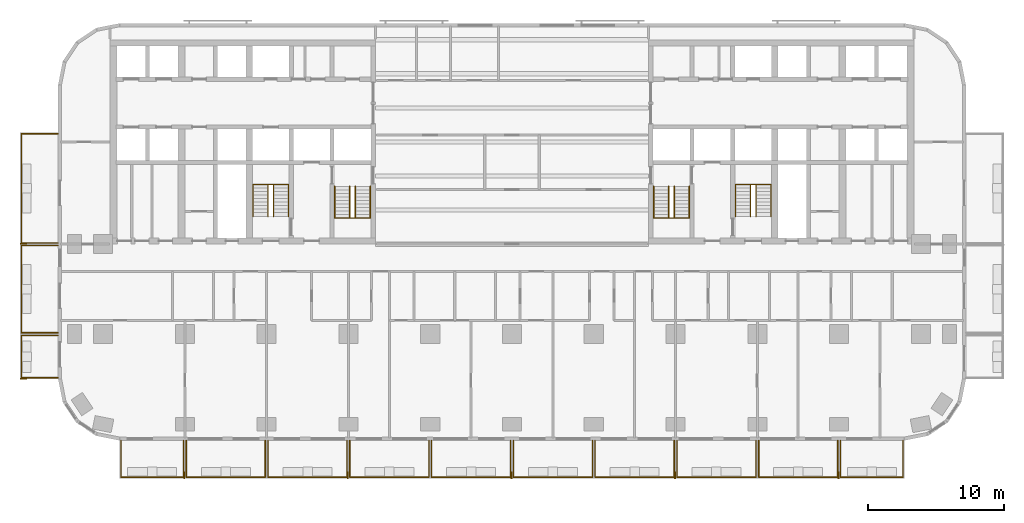
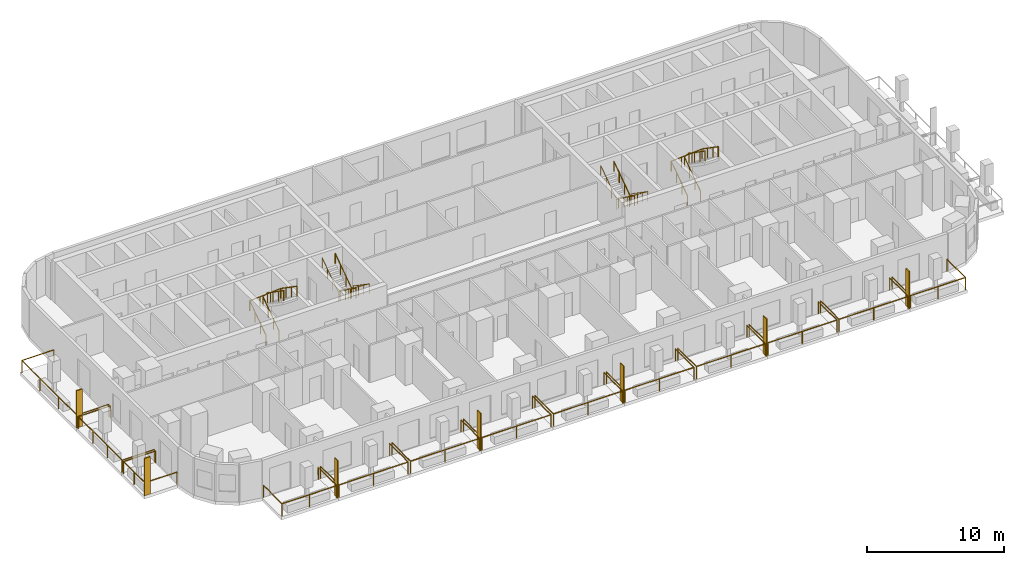
# One storey, part 13 of 15: 21 railings, 7 shading devices.
"""IFC4 building model written with IfcOpenShell, lengths in metres."""

from ifc_helpers import new_model, si_unit, direction, frame, origin, origin_2d, place, context, subcontext, project, spatial, rectangle, circle, extrude, material, layer, layer_set, type_object, element, save


model = new_model("IFC4")

# Units and contexts
model_context = context("Model", 3, precision=1e-05, world=origin(), true_north=direction((0.0, 1.0)))
body_context = subcontext(model_context, "Body", "Model", "MODEL_VIEW")
ifc_project = project(units=[si_unit("LENGTHUNIT", "METRE"), si_unit("AREAUNIT", "SQUARE_METRE"), si_unit("VOLUMEUNIT", "CUBIC_METRE"), si_unit("PLANEANGLEUNIT", "RADIAN"), si_unit("MASSUNIT", "GRAM", prefix="KILO")], contexts=[model_context])

# Site, building, storey
site_placement = place(None, origin())
site = spatial("IfcSite", under=ifc_project, at=site_placement, CompositionType="ELEMENT")
building_placement = place(site_placement, origin())
building = spatial("IfcBuilding", under=site, at=building_placement, Name="Torana Hotel and Residences", CompositionType="ELEMENT")
storey_placement = place(building_placement, frame((0.0, 0.0, 88.800048828125)))
storey = spatial("IfcBuildingStorey", under=building, at=storey_placement, Name="L22", CompositionType="ELEMENT", Elevation=88.800048828125)

# Shading devices
ifc_material_1 = material(Name="Black powder coated aluminium", Category="aluminium")
ifc_layer = layer(ifc_material_1, 0.080078125)
ifc_layer_set = layer_set([ifc_layer], Name="FN1 VERTICAL FIN 500x80")
shading_device_type = type_object("IfcShadingDeviceType", Name="FN1 VERTICAL FIN 500x80", PredefinedType="USERDEFINED", material=ifc_layer_set)
for number, where, z_axis, x_axis, name in (
    (1, (-24.0400390625, -31.949951171875, 0.0), (0.0, 0.0, 1.0), (-1.0, 0.0, 0.0), "Fin 01"),
    (2, (-12.0400390625, -31.949951171875, 0.0), (0.0, 0.0, 1.0), (-1.0, 0.0, 0.0), "Fin 03"),
    (3, (-0.0400390625, -31.949951171875, 0.0), (0.0, 0.0, 1.0), (-1.0, 0.0, 0.0), "Fin 05"),
    (4, (11.9599609375, -31.949951171875, 0.0), (0.0, 0.0, 1.0), (-1.0, 0.0, 0.0), "Fin 07"),
    (5, (23.9599609375, -31.949951171875, 0.0), (0.0, 0.0, 1.0), (-1.0, 0.0, 0.0), "Fin 09"),
    (6, (-35.85009765625, -24.860107421875, 0.0), (0.0, 0.0, 1.0), (0.0, 1.0, 0.0), "Fin 11"),
    (7, (-35.85009765625, -14.9599609375, 0.0), (0.0, 0.0, 1.0), (0.0, 1.0, 0.0), "Fin 13"),
):
    element("IfcShadingDevice", number, at=place(storey_placement, frame(where, z_axis=z_axis, x_axis=x_axis)), inside=storey, type_object=shading_device_type, Name=name, ObjectType="FIN", PredefinedType="USERDEFINED", context=body_context, shape_type="SweptSolid", body=[
        extrude(rectangle(XDim=0.080078125, YDim=0.5, at=origin_2d()), origin(), (0.0, 0.0, 1.0), 3.320068359375),
    ])

# Railings
ifc_material_2 = material(Name="Laminated glass balustrade with black handrail", Category="glass")
railing_type_1 = type_object("IfcRailingType", Name="GR1 BALCONY GUARD 1100 GLASS", PredefinedType="GUARDRAIL", material=ifc_material_2)
railing_1_placement = place(storey_placement, frame((-24.10009765625, -29.39990234375, 0.0)))
element("IfcRailing", 8, at=railing_1_placement, inside=storey, type_object=railing_type_1, Name="Balcony guard 01", PredefinedType="GUARDRAIL", context=body_context, shape_type="SweptSolid", body=[
    extrude(circle(Radius=0.02392578125, at=origin_2d()), frame((0.0, 0.0, 1.076171875), z_axis=(0.0, -1.0, 0.0), x_axis=(1.0, 0.0, 0.0)), (0.0, 0.0, 1.0), 2.7001953125),
    extrude(circle(Radius=0.02392578125, at=origin_2d()), frame((0.0, -2.7001953125, 1.076171875), z_axis=(-1.0, 0.0, 0.0), x_axis=(0.0, -1.0, 0.0)), (0.0, 0.0, 1.0), 4.599853515625),
    extrude(circle(Radius=0.02392578125, at=origin_2d()), frame((-4.599853515625, -2.7001953125, 1.076171875), z_axis=(0.0, 1.0, 0.0), x_axis=(-1.0, 0.0, 0.0)), (0.0, 0.0, 1.0), 2.7001953125),
    extrude(circle(Radius=0.02099609375, at=origin_2d()), origin(), (0.0, 0.0, 1.0), 1.052001953125),
    extrude(circle(Radius=0.02099609375, at=origin_2d()), frame((0.0, -2.7001953125, 0.0)), (0.0, 0.0, 1.0), 1.052001953125),
    extrude(circle(Radius=0.02099609375, at=origin_2d()), frame((-2.2998046875, -2.7001953125, 0.0)), (0.0, 0.0, 1.0), 1.052001953125),
    extrude(circle(Radius=0.02099609375, at=origin_2d()), frame((-4.599853515625, -2.7001953125, 0.0)), (0.0, 0.0, 1.0), 1.052001953125),
    extrude(circle(Radius=0.02099609375, at=origin_2d()), frame((-4.599853515625, 0.0, 0.0)), (0.0, 0.0, 1.0), 1.052001953125),
])
for number, where, name in (
    (9, (-18.10009765625, -29.39990234375, 0.0), "Balcony guard 02"),
    (10, (-12.10009765625, -29.39990234375, 0.0), "Balcony guard 03"),
    (11, (-6.10009765625, -29.39990234375, 0.0), "Balcony guard 04"),
    (12, (-0.10009765625, -29.39990234375, 0.0), "Balcony guard 05"),
    (13, (5.89990234375, -29.39990234375, 0.0), "Balcony guard 06"),
    (14, (11.89990234375, -29.39990234375, 0.0), "Balcony guard 07"),
    (15, (17.89990234375, -29.39990234375, 0.0), "Balcony guard 08"),
    (16, (23.89990234375, -29.39990234375, 0.0), "Balcony guard 09"),
):
    element("IfcRailing", number, at=place(storey_placement, frame(where)), inside=storey, type_object=railing_type_1, Name=name, PredefinedType="GUARDRAIL", context=body_context, shape_type="SweptSolid", body=[
        extrude(circle(Radius=0.02392578125, at=origin_2d()), frame((0.0, 0.0, 1.076171875), z_axis=(0.0, -1.0, 0.0), x_axis=(1.0, 0.0, 0.0)), (0.0, 0.0, 1.0), 2.7001953125),
        extrude(circle(Radius=0.02392578125, at=origin_2d()), frame((0.0, -2.7001953125, 1.076171875), z_axis=(-1.0, 0.0, 0.0), x_axis=(0.0, -1.0, 0.0)), (0.0, 0.0, 1.0), 5.7998046875),
        extrude(circle(Radius=0.02392578125, at=origin_2d()), frame((-5.7998046875, -2.7001953125, 1.076171875), z_axis=(0.0, 1.0, 0.0), x_axis=(-1.0, 0.0, 0.0)), (0.0, 0.0, 1.0), 2.7001953125),
        extrude(circle(Radius=0.02099609375, at=origin_2d()), origin(), (0.0, 0.0, 1.0), 1.052001953125),
        extrude(circle(Radius=0.02099609375, at=origin_2d()), frame((0.0, -2.7001953125, 0.0)), (0.0, 0.0, 1.0), 1.052001953125),
        extrude(circle(Radius=0.02099609375, at=origin_2d()), frame((-2.89990234375, -2.7001953125, 0.0)), (0.0, 0.0, 1.0), 1.052001953125),
        extrude(circle(Radius=0.02099609375, at=origin_2d()), frame((-5.7998046875, -2.7001953125, 0.0)), (0.0, 0.0, 1.0), 1.052001953125),
        extrude(circle(Radius=0.02099609375, at=origin_2d()), frame((-5.7998046875, 0.0, 0.0)), (0.0, 0.0, 1.0), 1.052001953125),
    ])
railing_2_placement = place(storey_placement, frame((28.699951171875, -29.39990234375, 0.0)))
element("IfcRailing", 17, at=railing_2_placement, inside=storey, type_object=railing_type_1, Name="Balcony guard 10", PredefinedType="GUARDRAIL", context=body_context, shape_type="SweptSolid", body=[
    extrude(circle(Radius=0.02392578125, at=origin_2d()), frame((0.0, 0.0, 1.076171875), z_axis=(0.0, -1.0, 0.0), x_axis=(1.0, 0.0, 0.0)), (0.0, 0.0, 1.0), 2.7001953125),
    extrude(circle(Radius=0.02392578125, at=origin_2d()), frame((0.0, -2.7001953125, 1.076171875), z_axis=(-1.0, 0.0, 0.0), x_axis=(0.0, -1.0, 0.0)), (0.0, 0.0, 1.0), 4.599853515625),
    extrude(circle(Radius=0.02392578125, at=origin_2d()), frame((-4.599853515625, -2.7001953125, 1.076171875), z_axis=(0.0, 1.0, 0.0), x_axis=(-1.0, 0.0, 0.0)), (0.0, 0.0, 1.0), 2.7001953125),
    extrude(circle(Radius=0.02099609375, at=origin_2d()), origin(), (0.0, 0.0, 1.0), 1.052001953125),
    extrude(circle(Radius=0.02099609375, at=origin_2d()), frame((0.0, -2.7001953125, 0.0)), (0.0, 0.0, 1.0), 1.052001953125),
    extrude(circle(Radius=0.02099609375, at=origin_2d()), frame((-2.2998046875, -2.7001953125, 0.0)), (0.0, 0.0, 1.0), 1.052001953125),
    extrude(circle(Radius=0.02099609375, at=origin_2d()), frame((-4.599853515625, -2.7001953125, 0.0)), (0.0, 0.0, 1.0), 1.052001953125),
    extrude(circle(Radius=0.02099609375, at=origin_2d()), frame((-4.599853515625, 0.0, 0.0)), (0.0, 0.0, 1.0), 1.052001953125),
])
railing_3_placement = place(storey_placement, frame((-33.300048828125, -24.800048828125, 0.0)))
element("IfcRailing", 18, at=railing_3_placement, inside=storey, type_object=railing_type_1, Name="Balcony guard 11", PredefinedType="GUARDRAIL", context=body_context, shape_type="SweptSolid", body=[
    extrude(circle(Radius=0.02392578125, at=origin_2d()), frame((0.0, 0.0, 1.076171875), z_axis=(-1.0, 0.0, 0.0), x_axis=(0.0, -1.0, 0.0)), (0.0, 0.0, 1.0), 2.699951171875),
    extrude(circle(Radius=0.02392578125, at=origin_2d()), frame((-2.699951171875, 0.0, 1.076171875), z_axis=(0.0, 1.0, 0.0), x_axis=(-1.0, 0.0, 0.0)), (0.0, 0.0, 1.0), 3.10009765625),
    extrude(circle(Radius=0.02392578125, at=origin_2d()), frame((-2.699951171875, 3.10009765625, 1.076171875), z_axis=(1.0, 0.0, 0.0), x_axis=(0.0, 1.0, 0.0)), (0.0, 0.0, 1.0), 2.699951171875),
    extrude(circle(Radius=0.02099609375, at=origin_2d()), origin(), (0.0, 0.0, 1.0), 1.052001953125),
    extrude(circle(Radius=0.02099609375, at=origin_2d()), frame((-2.699951171875, 0.0, 0.0)), (0.0, 0.0, 1.0), 1.052001953125),
    extrude(circle(Radius=0.02099609375, at=origin_2d()), frame((-2.699951171875, 1.550048828125, 0.0)), (0.0, 0.0, 1.0), 1.052001953125),
    extrude(circle(Radius=0.02099609375, at=origin_2d()), frame((-2.699951171875, 3.10009765625, 0.0)), (0.0, 0.0, 1.0), 1.052001953125),
    extrude(circle(Radius=0.02099609375, at=origin_2d()), frame((0.0, 3.10009765625, 0.0)), (0.0, 0.0, 1.0), 1.052001953125),
])
railing_4_placement = place(storey_placement, frame((-33.300048828125, -21.5, 0.0)))
element("IfcRailing", 19, at=railing_4_placement, inside=storey, type_object=railing_type_1, Name="Balcony guard 12", PredefinedType="GUARDRAIL", context=body_context, shape_type="SweptSolid", body=[
    extrude(circle(Radius=0.02392578125, at=origin_2d()), frame((0.0, 0.0, 1.076171875), z_axis=(-1.0, 0.0, 0.0), x_axis=(0.0, -1.0, 0.0)), (0.0, 0.0, 1.0), 2.699951171875),
    extrude(circle(Radius=0.02392578125, at=origin_2d()), frame((-2.699951171875, 0.0, 1.076171875), z_axis=(0.0, 1.0, 0.0), x_axis=(-1.0, 0.0, 0.0)), (0.0, 0.0, 1.0), 6.39990234375),
    extrude(circle(Radius=0.02392578125, at=origin_2d()), frame((-2.699951171875, 6.39990234375, 1.076171875), z_axis=(1.0, 0.0, 0.0), x_axis=(0.0, 1.0, 0.0)), (0.0, 0.0, 1.0), 2.699951171875),
    extrude(circle(Radius=0.02099609375, at=origin_2d()), origin(), (0.0, 0.0, 1.0), 1.052001953125),
    extrude(circle(Radius=0.02099609375, at=origin_2d()), frame((-2.699951171875, 0.0, 0.0)), (0.0, 0.0, 1.0), 1.052001953125),
    extrude(circle(Radius=0.02099609375, at=origin_2d()), frame((-2.699951171875, 2.13330078125, 0.0)), (0.0, 0.0, 1.0), 1.052001953125),
    extrude(circle(Radius=0.02099609375, at=origin_2d()), frame((-2.699951171875, 4.2666015625, 0.0)), (0.0, 0.0, 1.0), 1.052001953125),
    extrude(circle(Radius=0.02099609375, at=origin_2d()), frame((-2.699951171875, 6.39990234375, 0.0)), (0.0, 0.0, 1.0), 1.052001953125),
    extrude(circle(Radius=0.02099609375, at=origin_2d()), frame((0.0, 6.39990234375, 0.0)), (0.0, 0.0, 1.0), 1.052001953125),
])
railing_5_placement = place(storey_placement, frame((-33.300048828125, -14.89990234375, 0.0)))
element("IfcRailing", 20, at=railing_5_placement, inside=storey, type_object=railing_type_1, Name="Balcony guard 13", PredefinedType="GUARDRAIL", context=body_context, shape_type="SweptSolid", body=[
    extrude(circle(Radius=0.02392578125, at=origin_2d()), frame((0.0, 0.0, 1.076171875), z_axis=(-1.0, 0.0, 0.0), x_axis=(0.0, -1.0, 0.0)), (0.0, 0.0, 1.0), 2.699951171875),
    extrude(circle(Radius=0.02392578125, at=origin_2d()), frame((-2.699951171875, 0.0, 1.076171875), z_axis=(0.0, 1.0, 0.0), x_axis=(-1.0, 0.0, 0.0)), (0.0, 0.0, 1.0), 8.0),
    extrude(circle(Radius=0.02392578125, at=origin_2d()), frame((-2.699951171875, 8.0, 1.076171875), z_axis=(1.0, 0.0, 0.0), x_axis=(0.0, 1.0, 0.0)), (0.0, 0.0, 1.0), 2.699951171875),
    extrude(circle(Radius=0.02099609375, at=origin_2d()), origin(), (0.0, 0.0, 1.0), 1.052001953125),
    extrude(circle(Radius=0.02099609375, at=origin_2d()), frame((-2.699951171875, 0.0, 0.0)), (0.0, 0.0, 1.0), 1.052001953125),
    extrude(circle(Radius=0.02099609375, at=origin_2d()), frame((-2.699951171875, 2.666748046875, 0.0)), (0.0, 0.0, 1.0), 1.052001953125),
    extrude(circle(Radius=0.02099609375, at=origin_2d()), frame((-2.699951171875, 5.333251953125, 0.0)), (0.0, 0.0, 1.0), 1.052001953125),
    extrude(circle(Radius=0.02099609375, at=origin_2d()), frame((-2.699951171875, 8.0, 0.0)), (0.0, 0.0, 1.0), 1.052001953125),
    extrude(circle(Radius=0.02099609375, at=origin_2d()), frame((0.0, 8.0, 0.0)), (0.0, 0.0, 1.0), 1.052001953125),
])
ifc_material_3 = material(Name="Stainless steel 316", Category="steel")
railing_type_2 = type_object("IfcRailingType", Name="STAIR HANDRAIL HR1 900", PredefinedType="HANDRAIL", material=ifc_material_3)
railing_6_placement = place(storey_placement, frame((-10.39990234375, -10.75, 0.179931640625)))
element("IfcRailing", 21, at=railing_6_placement, inside=storey, type_object=railing_type_2, Name="Handrail ST1 L22 O1", PredefinedType="HANDRAIL", context=body_context, shape_type="SweptSolid", body=[
    extrude(circle(Radius=0.02392578125, at=origin_2d()), frame((0.0, 0.0, 0.8759765625), z_axis=(0.0, -0.822182927502, 0.569223360136), x_axis=(1.0, 0.0, 0.0)), (0.0, 0.0, 1.0), 2.84619140625),
    extrude(circle(Radius=0.02392578125, at=origin_2d()), frame((0.0, -2.340087890625, 2.49609375), z_axis=(-0.997614115953, 0.0, 0.069036770278), x_axis=(0.0, -1.0, 0.0)), (0.0, 0.0, 1.0), 2.606201171875),
    extrude(circle(Radius=0.02392578125, at=origin_2d()), frame((-2.60009765625, -2.340087890625, 2.67578125), z_axis=(0.0, 0.822223072051, 0.569165371211), x_axis=(-1.0, 0.0, 0.0)), (0.0, 0.0, 1.0), 2.845947265625),
    extrude(circle(Radius=0.02099609375, at=origin_2d()), origin(), (0.0, 0.0, 1.0), 0.851806640625),
    extrude(circle(Radius=0.02099609375, at=origin_2d()), frame((0.0, -0.780029296875, 0.5400390625)), (0.0, 0.0, 1.0), 0.851806640625),
    extrude(circle(Radius=0.02099609375, at=origin_2d()), frame((0.0, -1.56005859375, 1.080078125)), (0.0, 0.0, 1.0), 0.851806640625),
    extrude(circle(Radius=0.02099609375, at=origin_2d()), frame((0.0, -2.340087890625, 1.6201171875)), (0.0, 0.0, 1.0), 0.851806640625),
    extrude(circle(Radius=0.02099609375, at=origin_2d()), frame((-0.86669921875, -2.340087890625, 1.68017578125)), (0.0, 0.0, 1.0), 0.851806640625),
    extrude(circle(Radius=0.02099609375, at=origin_2d()), frame((-1.7333984375, -2.340087890625, 1.739990234375)), (0.0, 0.0, 1.0), 0.851806640625),
    extrude(circle(Radius=0.02099609375, at=origin_2d()), frame((-2.60009765625, -2.340087890625, 1.800048828125)), (0.0, 0.0, 1.0), 0.851806640625),
    extrude(circle(Radius=0.02099609375, at=origin_2d()), frame((-2.60009765625, -1.56005859375, 2.340087890625)), (0.0, 0.0, 1.0), 0.851806640625),
    extrude(circle(Radius=0.02099609375, at=origin_2d()), frame((-2.60009765625, -0.780029296875, 2.8798828125)), (0.0, 0.0, 1.0), 0.851806640625),
    extrude(circle(Radius=0.02099609375, at=origin_2d()), frame((-2.60009765625, 0.0, 3.419921875)), (0.0, 0.0, 1.0), 0.851806640625),
])
railing_7_placement = place(storey_placement, frame((-11.5, -10.75, 0.179931640625)))
element("IfcRailing", 22, at=railing_7_placement, inside=storey, type_object=railing_type_2, Name="Handrail ST1 L22 I1", PredefinedType="HANDRAIL", context=body_context, shape_type="SweptSolid", body=[
    extrude(circle(Radius=0.02392578125, at=origin_2d()), frame((0.0, 0.0, 0.8759765625), z_axis=(0.0, -0.822182927502, 0.569223360136), x_axis=(1.0, 0.0, 0.0)), (0.0, 0.0, 1.0), 2.84619140625),
    extrude(circle(Radius=0.02392578125, at=origin_2d()), frame((0.0, -2.340087890625, 2.49609375), z_axis=(-0.911942338396, 0.0, 0.410318378143), x_axis=(0.0, -1.0, 0.0)), (0.0, 0.0, 1.0), 0.4384765625),
    extrude(circle(Radius=0.02392578125, at=origin_2d()), frame((-0.39990234375, -2.340087890625, 2.67578125), z_axis=(0.0, 0.822223072051, 0.569165371211), x_axis=(-1.0, 0.0, 0.0)), (0.0, 0.0, 1.0), 2.845947265625),
    extrude(circle(Radius=0.02099609375, at=origin_2d()), origin(), (0.0, 0.0, 1.0), 0.851806640625),
    extrude(circle(Radius=0.02099609375, at=origin_2d()), frame((0.0, -0.780029296875, 0.5400390625)), (0.0, 0.0, 1.0), 0.851806640625),
    extrude(circle(Radius=0.02099609375, at=origin_2d()), frame((0.0, -1.56005859375, 1.080078125)), (0.0, 0.0, 1.0), 0.851806640625),
    extrude(circle(Radius=0.02099609375, at=origin_2d()), frame((0.0, -2.340087890625, 1.6201171875)), (0.0, 0.0, 1.0), 0.851806640625),
    extrude(circle(Radius=0.02099609375, at=origin_2d()), frame((-0.39990234375, -2.340087890625, 1.800048828125)), (0.0, 0.0, 1.0), 0.851806640625),
    extrude(circle(Radius=0.02099609375, at=origin_2d()), frame((-0.39990234375, -1.56005859375, 2.340087890625)), (0.0, 0.0, 1.0), 0.851806640625),
    extrude(circle(Radius=0.02099609375, at=origin_2d()), frame((-0.39990234375, -0.780029296875, 2.8798828125)), (0.0, 0.0, 1.0), 0.851806640625),
    extrude(circle(Radius=0.02099609375, at=origin_2d()), frame((-0.39990234375, 0.0, 3.419921875)), (0.0, 0.0, 1.0), 0.851806640625),
])
railing_8_placement = place(storey_placement, frame((-19.0, -12.949951171875, 0.179931640625)))
element("IfcRailing", 23, at=railing_8_placement, inside=storey, type_object=railing_type_2, Name="Handrail ST2 L22 O1", PredefinedType="HANDRAIL", context=body_context, shape_type="SweptSolid", body=[
    extrude(circle(Radius=0.02392578125, at=origin_2d()), frame((0.0, 0.0, 0.8759765625), z_axis=(0.0, 0.822155131156, 0.569263506923), x_axis=(-1.0, 0.0, 0.0)), (0.0, 0.0, 1.0), 2.845947265625),
    extrude(circle(Radius=0.02392578125, at=origin_2d()), frame((0.0, 2.33984375, 2.49609375), z_axis=(0.997614115953, 0.0, 0.069036770278), x_axis=(0.0, 1.0, 0.0)), (0.0, 0.0, 1.0), 2.606201171875),
    extrude(circle(Radius=0.02392578125, at=origin_2d()), frame((2.60009765625, 2.33984375, 2.67578125), z_axis=(0.0, -0.822195280011, 0.569205517829), x_axis=(1.0, 0.0, 0.0)), (0.0, 0.0, 1.0), 2.845947265625),
    extrude(circle(Radius=0.02099609375, at=origin_2d()), origin(), (0.0, 0.0, 1.0), 0.851806640625),
    extrude(circle(Radius=0.02099609375, at=origin_2d()), frame((0.0, 0.780029296875, 0.5400390625)), (0.0, 0.0, 1.0), 0.851806640625),
    extrude(circle(Radius=0.02099609375, at=origin_2d()), frame((0.0, 1.559814453125, 1.080078125)), (0.0, 0.0, 1.0), 0.851806640625),
    extrude(circle(Radius=0.02099609375, at=origin_2d()), frame((0.0, 2.33984375, 1.6201171875)), (0.0, 0.0, 1.0), 0.851806640625),
    extrude(circle(Radius=0.02099609375, at=origin_2d()), frame((0.86669921875, 2.33984375, 1.68017578125)), (0.0, 0.0, 1.0), 0.851806640625),
    extrude(circle(Radius=0.02099609375, at=origin_2d()), frame((1.7333984375, 2.33984375, 1.739990234375)), (0.0, 0.0, 1.0), 0.851806640625),
    extrude(circle(Radius=0.02099609375, at=origin_2d()), frame((2.60009765625, 2.33984375, 1.800048828125)), (0.0, 0.0, 1.0), 0.851806640625),
    extrude(circle(Radius=0.02099609375, at=origin_2d()), frame((2.60009765625, 1.559814453125, 2.340087890625)), (0.0, 0.0, 1.0), 0.851806640625),
    extrude(circle(Radius=0.02099609375, at=origin_2d()), frame((2.60009765625, 0.780029296875, 2.8798828125)), (0.0, 0.0, 1.0), 0.851806640625),
    extrude(circle(Radius=0.02099609375, at=origin_2d()), frame((2.60009765625, 0.0, 3.419921875)), (0.0, 0.0, 1.0), 0.851806640625),
])
railing_9_placement = place(storey_placement, frame((-17.89990234375, -12.949951171875, 0.179931640625)))
element("IfcRailing", 24, at=railing_9_placement, inside=storey, type_object=railing_type_2, Name="Handrail ST2 L22 I1", PredefinedType="HANDRAIL", context=body_context, shape_type="SweptSolid", body=[
    extrude(circle(Radius=0.02392578125, at=origin_2d()), frame((0.0, 0.0, 0.8759765625), z_axis=(0.0, 0.822155131156, 0.569263506923), x_axis=(-1.0, 0.0, 0.0)), (0.0, 0.0, 1.0), 2.845947265625),
    extrude(circle(Radius=0.02392578125, at=origin_2d()), frame((0.0, 2.33984375, 2.49609375), z_axis=(0.911942338396, 0.0, 0.410318378143), x_axis=(0.0, 1.0, 0.0)), (0.0, 0.0, 1.0), 0.4384765625),
    extrude(circle(Radius=0.02392578125, at=origin_2d()), frame((0.39990234375, 2.33984375, 2.67578125), z_axis=(0.0, -0.822195280011, 0.569205517829), x_axis=(1.0, 0.0, 0.0)), (0.0, 0.0, 1.0), 2.845947265625),
    extrude(circle(Radius=0.02099609375, at=origin_2d()), origin(), (0.0, 0.0, 1.0), 0.851806640625),
    extrude(circle(Radius=0.02099609375, at=origin_2d()), frame((0.0, 0.780029296875, 0.5400390625)), (0.0, 0.0, 1.0), 0.851806640625),
    extrude(circle(Radius=0.02099609375, at=origin_2d()), frame((0.0, 1.559814453125, 1.080078125)), (0.0, 0.0, 1.0), 0.851806640625),
    extrude(circle(Radius=0.02099609375, at=origin_2d()), frame((0.0, 2.33984375, 1.6201171875)), (0.0, 0.0, 1.0), 0.851806640625),
    extrude(circle(Radius=0.02099609375, at=origin_2d()), frame((0.39990234375, 2.33984375, 1.800048828125)), (0.0, 0.0, 1.0), 0.851806640625),
    extrude(circle(Radius=0.02099609375, at=origin_2d()), frame((0.39990234375, 1.559814453125, 2.340087890625)), (0.0, 0.0, 1.0), 0.851806640625),
    extrude(circle(Radius=0.02099609375, at=origin_2d()), frame((0.39990234375, 0.780029296875, 2.8798828125)), (0.0, 0.0, 1.0), 0.851806640625),
    extrude(circle(Radius=0.02099609375, at=origin_2d()), frame((0.39990234375, 0.0, 3.419921875)), (0.0, 0.0, 1.0), 0.851806640625),
])
railing_10_placement = place(storey_placement, frame((13.0, -10.75, 0.179931640625)))
element("IfcRailing", 25, at=railing_10_placement, inside=storey, type_object=railing_type_2, Name="Handrail ST3 L22 O1", PredefinedType="HANDRAIL", context=body_context, shape_type="SweptSolid", body=[
    extrude(circle(Radius=0.02392578125, at=origin_2d()), frame((0.0, 0.0, 0.8759765625), z_axis=(0.0, -0.822182927502, 0.569223360136), x_axis=(1.0, 0.0, 0.0)), (0.0, 0.0, 1.0), 2.84619140625),
    extrude(circle(Radius=0.02392578125, at=origin_2d()), frame((0.0, -2.340087890625, 2.49609375), z_axis=(-0.997614115953, 0.0, 0.069036770278), x_axis=(0.0, -1.0, 0.0)), (0.0, 0.0, 1.0), 2.606201171875),
    extrude(circle(Radius=0.02392578125, at=origin_2d()), frame((-2.60009765625, -2.340087890625, 2.67578125), z_axis=(0.0, 0.822223072051, 0.569165371211), x_axis=(-1.0, 0.0, 0.0)), (0.0, 0.0, 1.0), 2.845947265625),
    extrude(circle(Radius=0.02099609375, at=origin_2d()), origin(), (0.0, 0.0, 1.0), 0.851806640625),
    extrude(circle(Radius=0.02099609375, at=origin_2d()), frame((0.0, -0.780029296875, 0.5400390625)), (0.0, 0.0, 1.0), 0.851806640625),
    extrude(circle(Radius=0.02099609375, at=origin_2d()), frame((0.0, -1.56005859375, 1.080078125)), (0.0, 0.0, 1.0), 0.851806640625),
    extrude(circle(Radius=0.02099609375, at=origin_2d()), frame((0.0, -2.340087890625, 1.6201171875)), (0.0, 0.0, 1.0), 0.851806640625),
    extrude(circle(Radius=0.02099609375, at=origin_2d()), frame((-0.86669921875, -2.340087890625, 1.68017578125)), (0.0, 0.0, 1.0), 0.851806640625),
    extrude(circle(Radius=0.02099609375, at=origin_2d()), frame((-1.7333984375, -2.340087890625, 1.739990234375)), (0.0, 0.0, 1.0), 0.851806640625),
    extrude(circle(Radius=0.02099609375, at=origin_2d()), frame((-2.60009765625, -2.340087890625, 1.800048828125)), (0.0, 0.0, 1.0), 0.851806640625),
    extrude(circle(Radius=0.02099609375, at=origin_2d()), frame((-2.60009765625, -1.56005859375, 2.340087890625)), (0.0, 0.0, 1.0), 0.851806640625),
    extrude(circle(Radius=0.02099609375, at=origin_2d()), frame((-2.60009765625, -0.780029296875, 2.8798828125)), (0.0, 0.0, 1.0), 0.851806640625),
    extrude(circle(Radius=0.02099609375, at=origin_2d()), frame((-2.60009765625, 0.0, 3.419921875)), (0.0, 0.0, 1.0), 0.851806640625),
])
railing_11_placement = place(storey_placement, frame((11.89990234375, -10.75, 0.179931640625)))
element("IfcRailing", 26, at=railing_11_placement, inside=storey, type_object=railing_type_2, Name="Handrail ST3 L22 I1", PredefinedType="HANDRAIL", context=body_context, shape_type="SweptSolid", body=[
    extrude(circle(Radius=0.02392578125, at=origin_2d()), frame((0.0, 0.0, 0.8759765625), z_axis=(0.0, -0.822182927502, 0.569223360136), x_axis=(1.0, 0.0, 0.0)), (0.0, 0.0, 1.0), 2.84619140625),
    extrude(circle(Radius=0.02392578125, at=origin_2d()), frame((0.0, -2.340087890625, 2.49609375), z_axis=(-0.911942338396, 0.0, 0.410318378143), x_axis=(0.0, -1.0, 0.0)), (0.0, 0.0, 1.0), 0.4384765625),
    extrude(circle(Radius=0.02392578125, at=origin_2d()), frame((-0.39990234375, -2.340087890625, 2.67578125), z_axis=(0.0, 0.822223072051, 0.569165371211), x_axis=(-1.0, 0.0, 0.0)), (0.0, 0.0, 1.0), 2.845947265625),
    extrude(circle(Radius=0.02099609375, at=origin_2d()), origin(), (0.0, 0.0, 1.0), 0.851806640625),
    extrude(circle(Radius=0.02099609375, at=origin_2d()), frame((0.0, -0.780029296875, 0.5400390625)), (0.0, 0.0, 1.0), 0.851806640625),
    extrude(circle(Radius=0.02099609375, at=origin_2d()), frame((0.0, -1.56005859375, 1.080078125)), (0.0, 0.0, 1.0), 0.851806640625),
    extrude(circle(Radius=0.02099609375, at=origin_2d()), frame((0.0, -2.340087890625, 1.6201171875)), (0.0, 0.0, 1.0), 0.851806640625),
    extrude(circle(Radius=0.02099609375, at=origin_2d()), frame((-0.39990234375, -2.340087890625, 1.800048828125)), (0.0, 0.0, 1.0), 0.851806640625),
    extrude(circle(Radius=0.02099609375, at=origin_2d()), frame((-0.39990234375, -1.56005859375, 2.340087890625)), (0.0, 0.0, 1.0), 0.851806640625),
    extrude(circle(Radius=0.02099609375, at=origin_2d()), frame((-0.39990234375, -0.780029296875, 2.8798828125)), (0.0, 0.0, 1.0), 0.851806640625),
    extrude(circle(Radius=0.02099609375, at=origin_2d()), frame((-0.39990234375, 0.0, 3.419921875)), (0.0, 0.0, 1.0), 0.851806640625),
])
railing_12_placement = place(storey_placement, frame((16.39990234375, -12.949951171875, 0.179931640625)))
element("IfcRailing", 27, at=railing_12_placement, inside=storey, type_object=railing_type_2, Name="Handrail ST4 L22 O1", PredefinedType="HANDRAIL", context=body_context, shape_type="SweptSolid", body=[
    extrude(circle(Radius=0.02392578125, at=origin_2d()), frame((0.0, 0.0, 0.8759765625), z_axis=(0.0, 0.822155131156, 0.569263506923), x_axis=(-1.0, 0.0, 0.0)), (0.0, 0.0, 1.0), 2.845947265625),
    extrude(circle(Radius=0.02392578125, at=origin_2d()), frame((0.0, 2.33984375, 2.49609375), z_axis=(0.997614115953, 0.0, 0.069036770278), x_axis=(0.0, 1.0, 0.0)), (0.0, 0.0, 1.0), 2.606201171875),
    extrude(circle(Radius=0.02392578125, at=origin_2d()), frame((2.60009765625, 2.33984375, 2.67578125), z_axis=(0.0, -0.822195280011, 0.569205517829), x_axis=(1.0, 0.0, 0.0)), (0.0, 0.0, 1.0), 2.845947265625),
    extrude(circle(Radius=0.02099609375, at=origin_2d()), origin(), (0.0, 0.0, 1.0), 0.851806640625),
    extrude(circle(Radius=0.02099609375, at=origin_2d()), frame((0.0, 0.780029296875, 0.5400390625)), (0.0, 0.0, 1.0), 0.851806640625),
    extrude(circle(Radius=0.02099609375, at=origin_2d()), frame((0.0, 1.559814453125, 1.080078125)), (0.0, 0.0, 1.0), 0.851806640625),
    extrude(circle(Radius=0.02099609375, at=origin_2d()), frame((0.0, 2.33984375, 1.6201171875)), (0.0, 0.0, 1.0), 0.851806640625),
    extrude(circle(Radius=0.02099609375, at=origin_2d()), frame((0.86669921875, 2.33984375, 1.68017578125)), (0.0, 0.0, 1.0), 0.851806640625),
    extrude(circle(Radius=0.02099609375, at=origin_2d()), frame((1.7333984375, 2.33984375, 1.739990234375)), (0.0, 0.0, 1.0), 0.851806640625),
    extrude(circle(Radius=0.02099609375, at=origin_2d()), frame((2.60009765625, 2.33984375, 1.800048828125)), (0.0, 0.0, 1.0), 0.851806640625),
    extrude(circle(Radius=0.02099609375, at=origin_2d()), frame((2.60009765625, 1.559814453125, 2.340087890625)), (0.0, 0.0, 1.0), 0.851806640625),
    extrude(circle(Radius=0.02099609375, at=origin_2d()), frame((2.60009765625, 0.780029296875, 2.8798828125)), (0.0, 0.0, 1.0), 0.851806640625),
    extrude(circle(Radius=0.02099609375, at=origin_2d()), frame((2.60009765625, 0.0, 3.419921875)), (0.0, 0.0, 1.0), 0.851806640625),
])
railing_13_placement = place(storey_placement, frame((17.5, -12.949951171875, 0.179931640625)))
element("IfcRailing", 28, at=railing_13_placement, inside=storey, type_object=railing_type_2, Name="Handrail ST4 L22 I1", PredefinedType="HANDRAIL", context=body_context, shape_type="SweptSolid", body=[
    extrude(circle(Radius=0.02392578125, at=origin_2d()), frame((0.0, 0.0, 0.8759765625), z_axis=(0.0, 0.822155131156, 0.569263506923), x_axis=(-1.0, 0.0, 0.0)), (0.0, 0.0, 1.0), 2.845947265625),
    extrude(circle(Radius=0.02392578125, at=origin_2d()), frame((0.0, 2.33984375, 2.49609375), z_axis=(0.911942338396, 0.0, 0.410318378143), x_axis=(0.0, 1.0, 0.0)), (0.0, 0.0, 1.0), 0.4384765625),
    extrude(circle(Radius=0.02392578125, at=origin_2d()), frame((0.39990234375, 2.33984375, 2.67578125), z_axis=(0.0, -0.822195280011, 0.569205517829), x_axis=(1.0, 0.0, 0.0)), (0.0, 0.0, 1.0), 2.845947265625),
    extrude(circle(Radius=0.02099609375, at=origin_2d()), origin(), (0.0, 0.0, 1.0), 0.851806640625),
    extrude(circle(Radius=0.02099609375, at=origin_2d()), frame((0.0, 0.780029296875, 0.5400390625)), (0.0, 0.0, 1.0), 0.851806640625),
    extrude(circle(Radius=0.02099609375, at=origin_2d()), frame((0.0, 1.559814453125, 1.080078125)), (0.0, 0.0, 1.0), 0.851806640625),
    extrude(circle(Radius=0.02099609375, at=origin_2d()), frame((0.0, 2.33984375, 1.6201171875)), (0.0, 0.0, 1.0), 0.851806640625),
    extrude(circle(Radius=0.02099609375, at=origin_2d()), frame((0.39990234375, 2.33984375, 1.800048828125)), (0.0, 0.0, 1.0), 0.851806640625),
    extrude(circle(Radius=0.02099609375, at=origin_2d()), frame((0.39990234375, 1.559814453125, 2.340087890625)), (0.0, 0.0, 1.0), 0.851806640625),
    extrude(circle(Radius=0.02099609375, at=origin_2d()), frame((0.39990234375, 0.780029296875, 2.8798828125)), (0.0, 0.0, 1.0), 0.851806640625),
    extrude(circle(Radius=0.02099609375, at=origin_2d()), frame((0.39990234375, 0.0, 3.419921875)), (0.0, 0.0, 1.0), 0.851806640625),
])

save(model, "model.ifc")
